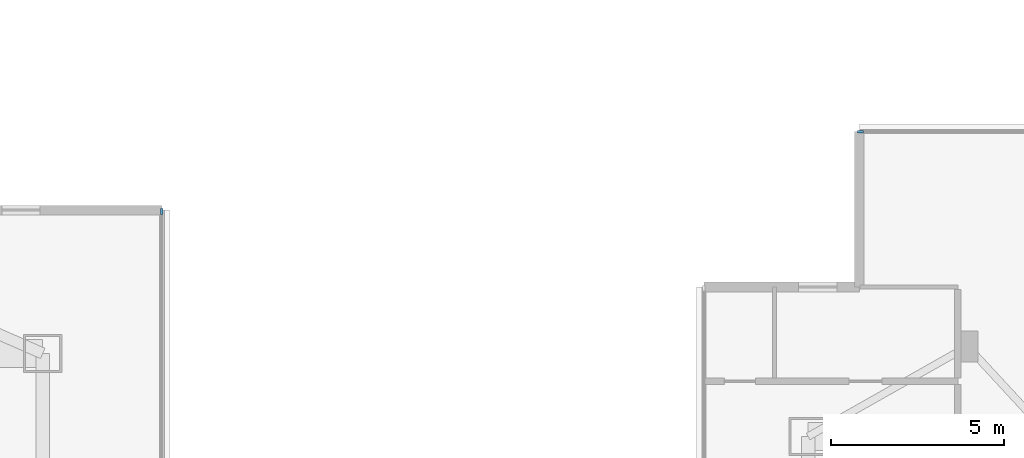
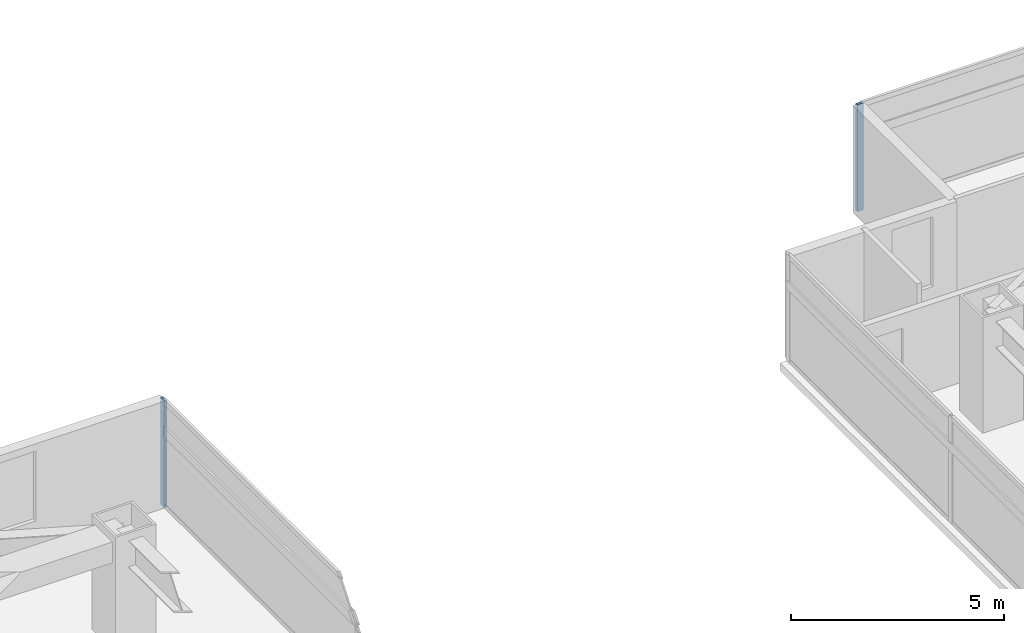
# One storey, part 8 of 24: 2 members, 2 elements without a shape of their own.
"""IFC4 building model written with IfcOpenShell, lengths in metres."""

from ifc_helpers import new_model, si_unit, direction, frame, origin, origin_2d, place, context, subcontext, project, spatial, rectangle, extrude, material, material_profile, profile_set, type_object, element, aggregate, save


model = new_model("IFC4")

# Units and contexts
model_context = context("Model", 3, precision=1e-05, world=origin(), true_north=direction((0.0, 1.0)))
body_context = subcontext(model_context, "Body", "Model", "MODEL_VIEW")
ifc_project = project(units=[si_unit("LENGTHUNIT", "METRE"), si_unit("AREAUNIT", "SQUARE_METRE"), si_unit("VOLUMEUNIT", "CUBIC_METRE"), si_unit("PLANEANGLEUNIT", "RADIAN"), si_unit("MASSUNIT", "GRAM", prefix="KILO")], contexts=[model_context])

# Site, building, storey
site_placement = place(None, origin())
site = spatial("IfcSite", under=ifc_project, at=site_placement, CompositionType="ELEMENT")
building_placement = place(site_placement, origin())
building = spatial("IfcBuilding", under=site, at=building_placement, Name="Mirazonda Arch Towers", CompositionType="ELEMENT")
storey_placement = place(building_placement, frame((0.0, 0.0, 141.199951171875)))
storey = spatial("IfcBuildingStorey", under=building, at=storey_placement, Name="L40", CompositionType="ELEMENT", Elevation=141.199951171875)

# Curtain wall, member
ifc_material_1 = material(Name="Anodised Aluminium and Low-E Glass", Category="aluminium")
curtain_wall_type = type_object("IfcCurtainWallType", Name="CW-HTL-UNIT", PredefinedType="NOTDEFINED", material=ifc_material_1)
curtain_wall_1_placement = place(storey_placement, origin())
curtain_wall_1 = element("IfcCurtainWall", 1, at=curtain_wall_1_placement, inside=storey, type_object=curtain_wall_type, Name="L40 T1 E Facade CW-L40-T1-E", PredefinedType="NOTDEFINED")
ifc_material_2 = material(Name="Anodised Aluminium Alloy", Category="aluminium")
ifc_material_profile = material_profile(ifc_material_2, rectangle(XDim=0.074951171875, YDim=0.1650390625, at=origin_2d()), Name="ALU-MULL-75x165")
ifc_profile_set = profile_set([ifc_material_profile], Name="Anodised Aluminium Alloy")
member_type = type_object("IfcMemberType", Name="MULL-CW-HTL-UNIT", PredefinedType="MULLION", material=ifc_profile_set)
member_1_placement = place(storey_placement, frame((42.340087890625, 41.698486328125, 0.0), z_axis=(0.0, 0.0, 1.0), x_axis=(-1.0, 0.0, 0.0)))
member_1 = element("IfcMember", 2, at=member_1_placement, type_object=member_type, Name="CW-112 mullion 4", PredefinedType="MULLION", context=body_context, shape_type="SweptSolid", body=[
    extrude(rectangle(XDim=0.074951171875, YDim=0.1650390625, at=origin_2d()), origin(), (0.0, 0.0, 1.0), 3.06005859375),
])
aggregate(curtain_wall_1, [member_1])

curtain_wall_2_placement = place(storey_placement, origin())
curtain_wall_2 = element("IfcCurtainWall", 3, at=curtain_wall_2_placement, inside=storey, type_object=curtain_wall_type, Name="L40 Curtain Wall CW-L40-T2-NA", PredefinedType="NOTDEFINED")
member_2_placement = place(storey_placement, frame((62.512939453125, 44.002197265625, 0.0), z_axis=(0.0, 0.0, 1.0), x_axis=(0.0, 1.0, 0.0)))
member_2 = element("IfcMember", 4, at=member_2_placement, type_object=member_type, Name="CW-112 mullion 1", PredefinedType="MULLION", context=body_context, shape_type="SweptSolid", body=[
    extrude(rectangle(XDim=0.074951171875, YDim=0.1650390625, at=origin_2d()), origin(), (0.0, 0.0, 1.0), 3.06005859375),
])
aggregate(curtain_wall_2, [member_2])

save(model, "model.ifc")
